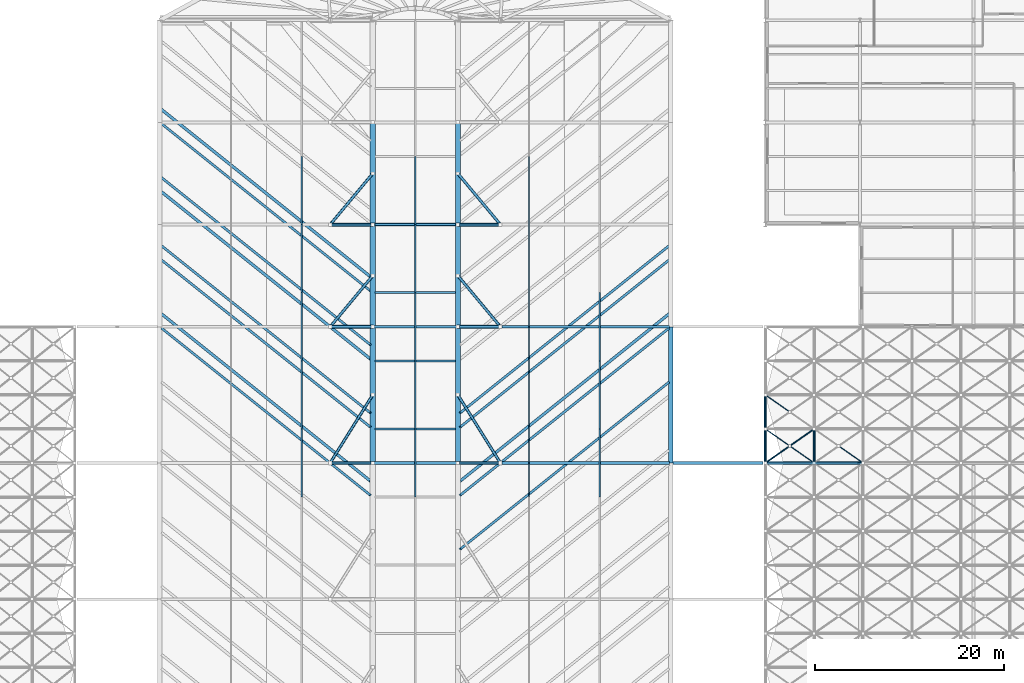
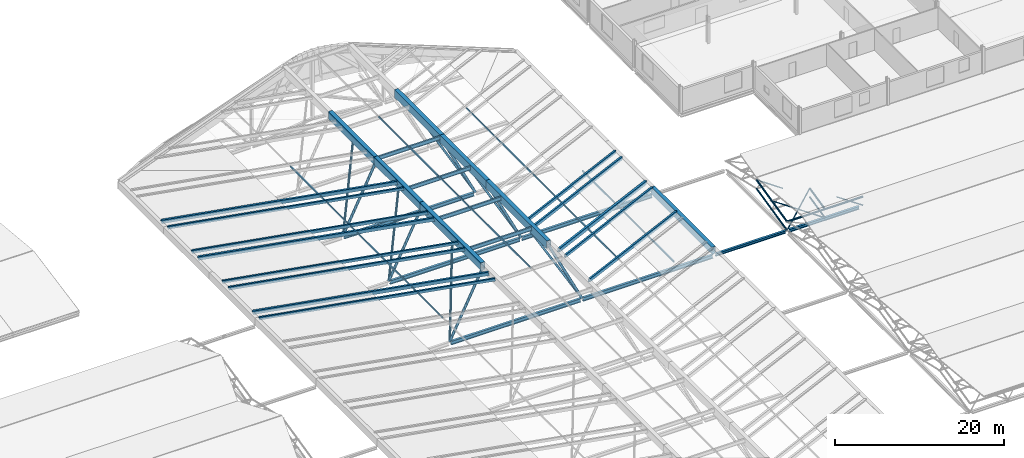
# One storey, part 31 of 110: 43 members, 31 beams.
"""IFC4 building model written with IfcOpenShell, lengths in metres."""

from ifc_helpers import new_model, si_unit, direction, frame, origin, origin_2d, place, context, subcontext, project, spatial, hollow_rectangle, hollow_circle, i_section, extrude, material, material_profile, profile_set, type_object, element, save


model = new_model("IFC4")

# Units and contexts
model_context = context("Model", 3, precision=1e-05, world=origin(), true_north=direction((0.0, 1.0)))
body_context = subcontext(model_context, "Body", "Model", "MODEL_VIEW")
ifc_project = project(units=[si_unit("LENGTHUNIT", "METRE"), si_unit("AREAUNIT", "SQUARE_METRE"), si_unit("VOLUMEUNIT", "CUBIC_METRE"), si_unit("PLANEANGLEUNIT", "RADIAN"), si_unit("MASSUNIT", "GRAM", prefix="KILO")], contexts=[model_context])

# Site, building, storey
site_placement = place(None, origin())
site = spatial("IfcSite", under=ifc_project, at=site_placement, CompositionType="ELEMENT")
building_placement = place(site_placement, origin())
building = spatial("IfcBuilding", under=site, at=building_placement, Name="Tamarisk Ironworks Central Station", CompositionType="ELEMENT")
storey_placement = place(building_placement, frame((0.0, 0.0, 17.39990234375)))
storey = spatial("IfcBuildingStorey", under=building, at=storey_placement, Name="L03", CompositionType="ELEMENT", Elevation=17.39990234375)

# Beams
ifc_material_1 = material(Name="Painted structural steel S355J2", Category="steel")
ifc_material_profile_1 = material_profile(ifc_material_1, hollow_rectangle(XDim=0.5, YDim=1.0, WallThickness=0.02197265625, at=origin_2d()), Name="BOX 500x1000x22")
ifc_profile_set_1 = profile_set([ifc_material_profile_1], Name="Painted structural steel S355J2")
beam_type_1 = type_object("IfcBeamType", Name="BM-EG01", PredefinedType="USERDEFINED", material=ifc_profile_set_1)
beam_1_placement = place(storey_placement, frame((108.0, 64.800048828125, -1.099853515625), z_axis=(0.0, 1.0, 0.0), x_axis=(-1.0, 0.0, 0.0)))
element("IfcBeam", 1, at=beam_1_placement, inside=storey, type_object=beam_type_1, Name="Concourse straight white eave girder E-013", ObjectType="TRANSFER GIRDER", PredefinedType="USERDEFINED", context=body_context, shape_type="SweptSolid", body=[
    extrude(hollow_rectangle(XDim=0.5, YDim=1.0, WallThickness=0.02197265625, at=origin_2d()), origin(), (0.0, 0.0, 1.0), 14.39990234375),
])
ifc_material_profile_2 = material_profile(ifc_material_1, hollow_rectangle(XDim=0.300048828125, YDim=0.5, WallThickness=0.02001953125, at=origin_2d()), Name="RHS 500x300x20")
ifc_profile_set_2 = profile_set([ifc_material_profile_2], Name="Painted structural steel S355J2")
beam_type_2 = type_object("IfcBeamType", Name="BM-FR01", PredefinedType="USERDEFINED", material=ifc_profile_set_2)
for number, where, z_axis, x_axis, name in (
    (2, (76.25, 62.89990234375, 7.873291015625), (-0.746812720906, 0.597456799313, -0.292089254932), (-0.624699269839, -0.780865431597, 0.0), "Concourse paired 45-degree white fishbone roof rib 0151"),
    (3, (85.75, 62.89990234375, 7.873291015625), (0.746812720906, 0.597456799313, -0.292089254932), (-0.624699269839, 0.780865431597, 0.0), "Concourse paired 45-degree white fishbone roof rib 0152"),
):
    element("IfcBeam", number, at=place(storey_placement, frame(where, z_axis=z_axis, x_axis=x_axis)), inside=storey, type_object=beam_type_2, Name=name, ObjectType="FISHBONE ROOF RIB", PredefinedType="USERDEFINED", context=body_context, shape_type="SweptSolid", body=[
        extrude(hollow_rectangle(XDim=0.300048828125, YDim=0.5, WallThickness=0.02001953125, at=origin_2d()), origin(), (0.0, 0.0, 1.0), 29.491943359375),
    ])
beam_2_placement = place(storey_placement, frame((76.25, 75.800048828125, 7.873291015625), z_axis=(-0.74681641456, 0.597451475993, -0.292090699574), x_axis=(-0.624693991975, -0.780869653906, 0.0)))
element("IfcBeam", 4, at=beam_2_placement, inside=storey, type_object=beam_type_2, Name="Concourse paired 45-degree white fishbone roof rib 0157", ObjectType="FISHBONE ROOF RIB", PredefinedType="USERDEFINED", context=body_context, shape_type="SweptSolid", body=[
    extrude(hollow_rectangle(XDim=0.300048828125, YDim=0.5, WallThickness=0.02001953125, at=origin_2d()), origin(), (0.0, 0.0, 1.0), 29.49169921875),
])
beam_3_placement = place(storey_placement, frame((76.25, 84.5, 7.873291015625), z_axis=(-0.746812720906, 0.597456799313, -0.292089254932), x_axis=(-0.624699269839, -0.780865431597, 0.0)))
element("IfcBeam", 5, at=beam_3_placement, inside=storey, type_object=beam_type_2, Name="Concourse paired 45-degree white fishbone roof rib 0163", ObjectType="FISHBONE ROOF RIB", PredefinedType="USERDEFINED", context=body_context, shape_type="SweptSolid", body=[
    extrude(hollow_rectangle(XDim=0.300048828125, YDim=0.5, WallThickness=0.02001953125, at=origin_2d()), origin(), (0.0, 0.0, 1.0), 29.491943359375),
])
ifc_material_profile_3 = material_profile(ifc_material_1, hollow_rectangle(XDim=0.25, YDim=0.449951171875, WallThickness=0.01611328125, at=origin_2d()), Name="RHS 450x250x16")
ifc_profile_set_3 = profile_set([ifc_material_profile_3], Name="Painted structural steel S355J2")
beam_type_3 = type_object("IfcBeamType", Name="BM-FR02", PredefinedType="USERDEFINED", material=ifc_profile_set_3)
beam_4_placement = place(storey_placement, frame((85.75, 55.699951171875, 7.897216796875), z_axis=(0.746812720906, 0.597456799313, -0.292089254932), x_axis=(-0.624699269839, 0.780865431597, 0.0)))
element("IfcBeam", 6, at=beam_4_placement, inside=storey, type_object=beam_type_3, Name="Concourse paired 45-degree white fishbone roof rib 0148", ObjectType="FISHBONE ROOF RIB", PredefinedType="USERDEFINED", context=body_context, shape_type="SweptSolid", body=[
    extrude(hollow_rectangle(XDim=0.25, YDim=0.449951171875, WallThickness=0.01611328125, at=origin_2d()), origin(), (0.0, 0.0, 1.0), 29.491943359375),
])
for number, where, z_axis, x_axis, name in (
    (7, (76.25, 68.60009765625, 7.897216796875), (-0.74681641456, 0.597451475993, -0.292090699574), (-0.624693991975, -0.780869653906, 0.0), "Concourse paired 45-degree white fishbone roof rib 0153"),
    (8, (85.75, 68.60009765625, 7.897216796875), (0.74681641456, 0.597451475993, -0.292090699574), (-0.624693991975, 0.780869653906, 0.0), "Concourse paired 45-degree white fishbone roof rib 0154"),
    (9, (76.25, 77.300048828125, 7.897216796875), (-0.74681641456, 0.597451475993, -0.292090699574), (-0.624693991975, -0.780869653906, 0.0), "Concourse paired 45-degree white fishbone roof rib 0159"),
):
    element("IfcBeam", number, at=place(storey_placement, frame(where, z_axis=z_axis, x_axis=x_axis)), inside=storey, type_object=beam_type_3, Name=name, ObjectType="FISHBONE ROOF RIB", PredefinedType="USERDEFINED", context=body_context, shape_type="SweptSolid", body=[
        extrude(hollow_rectangle(XDim=0.25, YDim=0.449951171875, WallThickness=0.01611328125, at=origin_2d()), origin(), (0.0, 0.0, 1.0), 29.49169921875),
    ])
ifc_material_profile_4 = material_profile(ifc_material_1, hollow_rectangle(XDim=0.25, YDim=0.39990234375, WallThickness=0.01611328125, at=origin_2d()), Name="RHS 400x250x16")
ifc_profile_set_4 = profile_set([ifc_material_profile_4], Name="Painted structural steel S355J2")
beam_type_4 = type_object("IfcBeamType", Name="BM-FR03", PredefinedType="USERDEFINED", material=ifc_profile_set_4)
for number, where, z_axis, x_axis, name in (
    (10, (76.25, 61.39990234375, 7.9208984375), (-0.746814526668, 0.597458243939, -0.292081682936), (-0.624699269839, -0.780865431597, 0.0), "Concourse paired 45-degree white fishbone roof rib 0149"),
    (11, (85.75, 61.39990234375, 7.9208984375), (0.746814526668, 0.597458243939, -0.292081682936), (-0.624699269839, 0.780865431597, 0.0), "Concourse paired 45-degree white fishbone roof rib 0150"),
    (12, (76.25, 70.10009765625, 7.9208984375), (-0.746818220349, 0.59745292062, -0.292083127547), (-0.624693991975, -0.780869653906, 0.0), "Concourse paired 45-degree white fishbone roof rib 0155"),
    (13, (85.75, 70.10009765625, 7.9208984375), (0.746818220349, 0.59745292062, -0.292083127547), (-0.624693991975, 0.780869653906, 0.0), "Concourse paired 45-degree white fishbone roof rib 0156"),
    (14, (76.25, 83.0, 7.9208984375), (-0.746814526668, 0.597458243939, -0.292081682936), (-0.624699269839, -0.780865431597, 0.0), "Concourse paired 45-degree white fishbone roof rib 0161"),
):
    element("IfcBeam", number, at=place(storey_placement, frame(where, z_axis=z_axis, x_axis=x_axis)), inside=storey, type_object=beam_type_4, Name=name, ObjectType="FISHBONE ROOF RIB", PredefinedType="USERDEFINED", context=body_context, shape_type="SweptSolid", body=[
        extrude(hollow_rectangle(XDim=0.25, YDim=0.39990234375, WallThickness=0.01611328125, at=origin_2d()), origin(), (0.0, 0.0, 1.0), 29.49169921875),
    ])
ifc_material_profile_5 = material_profile(ifc_material_1, i_section(OverallWidth=0.2099609375, OverallDepth=0.550048828125, WebThickness=0.010986328125, FlangeThickness=0.01708984375, at=origin_2d()), Name="IPE 550")
ifc_profile_set_5 = profile_set([ifc_material_profile_5], Name="Painted structural steel S355J2")
beam_type_5 = type_object("IfcBeamType", Name="BM-FR04", PredefinedType="USERDEFINED", material=ifc_profile_set_5)
for number, where, z_axis, x_axis, name in (
    (15, (76.7548828125, 68.39990234375, 7.85009765625), (1.0, 0.0, 0.0), (0.0, 1.0, 0.0), "Central glazed spine transverse rib 102"),
    (16, (76.7548828125, 75.60009765625, 7.85009765625), (1.0, 0.0, 0.0), (0.0, 1.0, 0.0), "Central glazed spine transverse rib 103"),
    (17, (76.7548828125, 82.800048828125, 7.85009765625), (1.0, 0.0, 0.0), (0.0, 1.0, 0.0), "Central glazed spine transverse rib 104"),
    (18, (76.7548828125, 90.0, 7.85009765625), (1.0, 0.0, 0.0), (0.0, 1.0, 0.0), "Central glazed spine transverse rib 105"),
):
    element("IfcBeam", number, at=place(storey_placement, frame(where, z_axis=z_axis, x_axis=x_axis)), inside=storey, type_object=beam_type_5, Name=name, ObjectType="FISHBONE ROOF RIB", PredefinedType="USERDEFINED", context=body_context, shape_type="SweptSolid", body=[
        extrude(i_section(OverallWidth=0.2099609375, OverallDepth=0.550048828125, WebThickness=0.010986328125, FlangeThickness=0.01708984375, at=origin_2d()), origin(), (0.0, 0.0, 1.0), 8.490234375),
    ])
ifc_material_2 = material(Name="Structural steel S355J2", Category="steel")
ifc_material_profile_6 = material_profile(ifc_material_2, i_section(OverallWidth=0.300048828125, OverallDepth=0.5400390625, WebThickness=0.012451171875, FlangeThickness=0.02392578125, at=origin_2d()), Name="HEA 550")
ifc_profile_set_6 = profile_set([ifc_material_profile_6], Name="Structural steel S355J2")
beam_type_6 = type_object("IfcBeamType", Name="BM-G04", PredefinedType="BEAM", material=ifc_profile_set_6)
for number, where, z_axis, x_axis, name in (
    (19, (72.139892578125, 64.800048828125, -1.869873046875), (1.0, 0.0, 0.0), (0.0, 1.0, 0.0), "Concourse roof portal tie girder 030"),
    (20, (90.139892578125, 64.800048828125, -1.869873046875), (1.0, 0.0, 0.0), (0.0, 1.0, 0.0), "Concourse roof portal tie girder 031"),
    (21, (72.139892578125, 79.199951171875, -1.869873046875), (1.0, 0.0, 0.0), (0.0, 1.0, 0.0), "Concourse roof portal tie girder 033"),
    (22, (90.139892578125, 79.199951171875, -1.869873046875), (1.0, 0.0, 0.0), (0.0, 1.0, 0.0), "Concourse roof portal tie girder 034"),
    (23, (72.139892578125, 90.0, -1.869873046875), (1.0, 0.0, 0.0), (0.0, 1.0, 0.0), "Concourse roof portal tie girder 036"),
):
    element("IfcBeam", number, at=place(storey_placement, frame(where, z_axis=z_axis, x_axis=x_axis)), inside=storey, type_object=beam_type_6, Name=name, PredefinedType="BEAM", context=body_context, shape_type="SweptSolid", body=[
        extrude(i_section(OverallWidth=0.300048828125, OverallDepth=0.5400390625, WebThickness=0.012451171875, FlangeThickness=0.02392578125, at=origin_2d()), origin(), (0.0, 0.0, 1.0), 17.72021484375),
    ])
ifc_material_profile_7 = material_profile(ifc_material_2, i_section(OverallWidth=0.300048828125, OverallDepth=0.43994140625, WebThickness=0.011474609375, FlangeThickness=0.02099609375, at=origin_2d()), Name="HEA 450")
ifc_profile_set_7 = profile_set([ifc_material_profile_7], Name="Structural steel S355J2")
beam_type_7 = type_object("IfcBeamType", Name="BM-G06", PredefinedType="BEAM", material=ifc_profile_set_7)
beam_5_placement = place(storey_placement, frame((118.238037109375, 64.800048828125, -1.81982421875), z_axis=(1.0, 0.0, 0.0), x_axis=(0.0, 1.0, 0.0)))
element("IfcBeam", 24, at=beam_5_placement, inside=storey, type_object=beam_type_7, Name="L03 primary girder X-0572", PredefinedType="BEAM", context=body_context, shape_type="SweptSolid", body=[
    extrude(i_section(OverallWidth=0.300048828125, OverallDepth=0.43994140625, WebThickness=0.011474609375, FlangeThickness=0.02099609375, at=origin_2d()), origin(), (0.0, 0.0, 1.0), 9.57080078125),
])
ifc_material_profile_8 = material_profile(ifc_material_2, i_section(OverallWidth=0.300048828125, OverallDepth=0.389892578125, WebThickness=0.010986328125, FlangeThickness=0.01904296875, at=origin_2d()), Name="HEA 400")
ifc_profile_set_8 = profile_set([ifc_material_profile_8], Name="Structural steel S355J2")
beam_type_8 = type_object("IfcBeamType", Name="BM-G07", PredefinedType="BEAM", material=ifc_profile_set_8)
beam_6_placement = place(storey_placement, frame((108.22998046875, 64.800048828125, -1.7998046875), z_axis=(1.0, 0.0, 0.0), x_axis=(0.0, 1.0, 0.0)))
element("IfcBeam", 25, at=beam_6_placement, inside=storey, type_object=beam_type_8, Name="Train shed to concourse eave tie girder 09", PredefinedType="BEAM", context=body_context, shape_type="SweptSolid", body=[
    extrude(i_section(OverallWidth=0.300048828125, OverallDepth=0.389892578125, WebThickness=0.010986328125, FlangeThickness=0.01904296875, at=origin_2d()), origin(), (0.0, 0.0, 1.0), 9.5400390625),
])
ifc_material_profile_9 = material_profile(ifc_material_1, hollow_rectangle(XDim=0.550048828125, YDim=1.10009765625, WallThickness=0.02392578125, at=origin_2d()), Name="BOX 550x1100x24")
ifc_profile_set_9 = profile_set([ifc_material_profile_9], Name="Painted structural steel S355J2")
beam_type_9 = type_object("IfcBeamType", Name="BM-SG01", PredefinedType="USERDEFINED", material=ifc_profile_set_9)
beam_7_placement = place(storey_placement, frame((76.5, 64.800048828125, 7.650146484375), z_axis=(0.0, 1.0, 0.0), x_axis=(-1.0, 0.0, 0.0)))
element("IfcBeam", 26, at=beam_7_placement, inside=storey, type_object=beam_type_9, Name="Concourse central glazed spine girder W-048", ObjectType="TRANSFER GIRDER", PredefinedType="USERDEFINED", context=body_context, shape_type="SweptSolid", body=[
    extrude(hollow_rectangle(XDim=0.550048828125, YDim=1.10009765625, WallThickness=0.02392578125, at=origin_2d()), origin(), (0.0, 0.0, 1.0), 14.39990234375),
])
for number, where, z_axis, x_axis, name in (
    (27, (76.5, 79.199951171875, 7.650146484375), (0.0, 1.0, 0.0), (-1.0, 0.0, 0.0), "Concourse central glazed spine girder W-049"),
    (28, (76.5, 90.0, 7.650146484375), (0.0, 1.0, 0.0), (-1.0, 0.0, 0.0), "Concourse central glazed spine girder W-050"),
):
    element("IfcBeam", number, at=place(storey_placement, frame(where, z_axis=z_axis, x_axis=x_axis)), inside=storey, type_object=beam_type_9, Name=name, ObjectType="TRANSFER GIRDER", PredefinedType="USERDEFINED", context=body_context, shape_type="SweptSolid", body=[
        extrude(hollow_rectangle(XDim=0.550048828125, YDim=1.10009765625, WallThickness=0.02392578125, at=origin_2d()), origin(), (0.0, 0.0, 1.0), 10.800048828125),
    ])
beam_8_placement = place(storey_placement, frame((85.5, 64.800048828125, 7.650146484375), z_axis=(0.0, 1.0, 0.0), x_axis=(-1.0, 0.0, 0.0)))
element("IfcBeam", 29, at=beam_8_placement, inside=storey, type_object=beam_type_9, Name="Concourse central glazed spine girder E-056", ObjectType="TRANSFER GIRDER", PredefinedType="USERDEFINED", context=body_context, shape_type="SweptSolid", body=[
    extrude(hollow_rectangle(XDim=0.550048828125, YDim=1.10009765625, WallThickness=0.02392578125, at=origin_2d()), origin(), (0.0, 0.0, 1.0), 14.39990234375),
])
for number, where, z_axis, x_axis, name in (
    (30, (85.5, 79.199951171875, 7.650146484375), (0.0, 1.0, 0.0), (-1.0, 0.0, 0.0), "Concourse central glazed spine girder E-057"),
    (31, (85.5, 90.0, 7.650146484375), (0.0, 1.0, 0.0), (-1.0, 0.0, 0.0), "Concourse central glazed spine girder E-058"),
):
    element("IfcBeam", number, at=place(storey_placement, frame(where, z_axis=z_axis, x_axis=x_axis)), inside=storey, type_object=beam_type_9, Name=name, ObjectType="TRANSFER GIRDER", PredefinedType="USERDEFINED", context=body_context, shape_type="SweptSolid", body=[
        extrude(hollow_rectangle(XDim=0.550048828125, YDim=1.10009765625, WallThickness=0.02392578125, at=origin_2d()), origin(), (0.0, 0.0, 1.0), 10.800048828125),
    ])

# Members
ifc_material_profile_10 = material_profile(ifc_material_1, hollow_rectangle(XDim=0.1201171875, YDim=0.219970703125, WallThickness=0.008056640625, at=origin_2d()), Name="RHS 220x120x8")
ifc_profile_set_10 = profile_set([ifc_material_profile_10], Name="Painted structural steel S355J2")
member_type_1 = type_object("IfcMemberType", Name="MB-PR01", PredefinedType="PURLIN", material=ifc_profile_set_10)
for number, where, z_axis, x_axis, name in (
    (32, (81.0, 61.2041015625, 7.97998046875), (0.0, 1.0, 0.0), (-1.0, 0.0, 0.0), "Spine skylight purlin 008"),
    (33, (81.0, 68.404052734375, 7.97998046875), (0.0, 1.0, 0.0), (-1.0, 0.0, 0.0), "Spine skylight purlin 009"),
    (34, (81.0, 75.60400390625, 7.97998046875), (0.0, 1.0, 0.0), (-1.0, 0.0, 0.0), "Spine skylight purlin 010"),
):
    element("IfcMember", number, at=place(storey_placement, frame(where, z_axis=z_axis, x_axis=x_axis)), inside=storey, type_object=member_type_1, Name=name, PredefinedType="PURLIN", context=body_context, shape_type="SweptSolid", body=[
        extrude(hollow_rectangle(XDim=0.1201171875, YDim=0.219970703125, WallThickness=0.008056640625, at=origin_2d()), origin(), (0.0, 0.0, 1.0), 7.19189453125),
    ])
for number, where, z_axis, x_axis, name in (
    (35, (81.0, 82.803955078125, 7.97998046875), (0.0, 1.0, 0.0), (-1.0, 0.0, 0.0), "Spine skylight purlin 011"),
    (36, (81.0, 90.00390625, 7.97998046875), (0.0, 1.0, 0.0), (-1.0, 0.0, 0.0), "Spine skylight purlin 012"),
):
    element("IfcMember", number, at=place(storey_placement, frame(where, z_axis=z_axis, x_axis=x_axis)), inside=storey, type_object=member_type_1, Name=name, PredefinedType="PURLIN", context=body_context, shape_type="SweptSolid", body=[
        extrude(hollow_rectangle(XDim=0.1201171875, YDim=0.219970703125, WallThickness=0.008056640625, at=origin_2d()), origin(), (0.0, 0.0, 1.0), 7.192138671875),
    ])
member_1_placement = place(storey_placement, frame((69.0, 61.199951171875, 5.002685546875), z_axis=(0.0, 1.0, 0.0), x_axis=(-1.0, 0.0, 0.0)))
element("IfcMember", 37, at=member_1_placement, inside=storey, type_object=member_type_1, Name="Concourse roof glazing purlin 0022", PredefinedType="PURLIN", context=body_context, shape_type="SweptSolid", body=[
    extrude(hollow_rectangle(XDim=0.1201171875, YDim=0.219970703125, WallThickness=0.008056640625, at=origin_2d()), origin(), (0.0, 0.0, 1.0), 7.199951171875),
])
member_2_placement = place(storey_placement, frame((69.0, 68.39990234375, 5.002685546875), z_axis=(0.0, 1.0, 0.0), x_axis=(-1.0, 0.0, 0.0)))
element("IfcMember", 38, at=member_2_placement, inside=storey, type_object=member_type_1, Name="Concourse roof glazing purlin 0023", PredefinedType="PURLIN", context=body_context, shape_type="SweptSolid", body=[
    extrude(hollow_rectangle(XDim=0.1201171875, YDim=0.219970703125, WallThickness=0.008056640625, at=origin_2d()), origin(), (0.0, 0.0, 1.0), 7.2001953125),
])
for number, where, z_axis, x_axis, name in (
    (39, (69.0, 75.60009765625, 5.002685546875), (0.0, 1.0, 0.0), (-1.0, 0.0, 0.0), "Concourse roof glazing purlin 0024"),
    (40, (69.0, 82.800048828125, 5.002685546875), (0.0, 1.0, 0.0), (-1.0, 0.0, 0.0), "Concourse roof glazing purlin 0025"),
    (41, (69.0, 90.0, 5.002685546875), (0.0, 1.0, 0.0), (-1.0, 0.0, 0.0), "Concourse roof glazing purlin 0026"),
    (42, (93.0, 61.199951171875, 5.002685546875), (0.0, 1.0, 0.0), (-1.0, 0.0, 0.0), "Concourse roof glazing purlin 0050"),
):
    element("IfcMember", number, at=place(storey_placement, frame(where, z_axis=z_axis, x_axis=x_axis)), inside=storey, type_object=member_type_1, Name=name, PredefinedType="PURLIN", context=body_context, shape_type="SweptSolid", body=[
        extrude(hollow_rectangle(XDim=0.1201171875, YDim=0.219970703125, WallThickness=0.008056640625, at=origin_2d()), origin(), (0.0, 0.0, 1.0), 7.199951171875),
    ])
member_3_placement = place(storey_placement, frame((93.0, 68.39990234375, 5.002685546875), z_axis=(0.0, 1.0, 0.0), x_axis=(-1.0, 0.0, 0.0)))
element("IfcMember", 43, at=member_3_placement, inside=storey, type_object=member_type_1, Name="Concourse roof glazing purlin 0051", PredefinedType="PURLIN", context=body_context, shape_type="SweptSolid", body=[
    extrude(hollow_rectangle(XDim=0.1201171875, YDim=0.219970703125, WallThickness=0.008056640625, at=origin_2d()), origin(), (0.0, 0.0, 1.0), 7.2001953125),
])
for number, where, z_axis, x_axis, name in (
    (44, (93.0, 75.60009765625, 5.002685546875), (0.0, 1.0, 0.0), (-1.0, 0.0, 0.0), "Concourse roof glazing purlin 0052"),
    (45, (93.0, 82.800048828125, 5.002685546875), (0.0, 1.0, 0.0), (-1.0, 0.0, 0.0), "Concourse roof glazing purlin 0053"),
    (46, (93.0, 90.0, 5.002685546875), (0.0, 1.0, 0.0), (-1.0, 0.0, 0.0), "Concourse roof glazing purlin 0054"),
    (47, (100.5, 61.199951171875, 2.0693359375), (0.0, 1.0, 0.0), (-1.0, 0.0, 0.0), "Concourse roof glazing purlin 0064"),
):
    element("IfcMember", number, at=place(storey_placement, frame(where, z_axis=z_axis, x_axis=x_axis)), inside=storey, type_object=member_type_1, Name=name, PredefinedType="PURLIN", context=body_context, shape_type="SweptSolid", body=[
        extrude(hollow_rectangle(XDim=0.1201171875, YDim=0.219970703125, WallThickness=0.008056640625, at=origin_2d()), origin(), (0.0, 0.0, 1.0), 7.199951171875),
    ])
member_4_placement = place(storey_placement, frame((100.5, 68.39990234375, 2.0693359375), z_axis=(0.0, 1.0, 0.0), x_axis=(-1.0, 0.0, 0.0)))
element("IfcMember", 48, at=member_4_placement, inside=storey, type_object=member_type_1, Name="Concourse roof glazing purlin 0065", PredefinedType="PURLIN", context=body_context, shape_type="SweptSolid", body=[
    extrude(hollow_rectangle(XDim=0.1201171875, YDim=0.219970703125, WallThickness=0.008056640625, at=origin_2d()), origin(), (0.0, 0.0, 1.0), 7.2001953125),
])
member_5_placement = place(storey_placement, frame((100.5, 75.60009765625, 2.0693359375), z_axis=(0.0, 1.0, 0.0), x_axis=(-1.0, 0.0, 0.0)))
element("IfcMember", 49, at=member_5_placement, inside=storey, type_object=member_type_1, Name="Concourse roof glazing purlin 0066", PredefinedType="PURLIN", context=body_context, shape_type="SweptSolid", body=[
    extrude(hollow_rectangle(XDim=0.1201171875, YDim=0.219970703125, WallThickness=0.008056640625, at=origin_2d()), origin(), (0.0, 0.0, 1.0), 7.199951171875),
])
ifc_material_3 = material(Name="Structural steel S355J2H", Category="steel")
ifc_material_profile_11 = material_profile(ifc_material_3, hollow_circle(Radius=0.136474609375, WallThickness=0.012451171875, at=origin_2d()), Name="CHS 273x12.5")
ifc_profile_set_11 = profile_set([ifc_material_profile_11], Name="Structural steel S355J2H")
member_type_2 = type_object("IfcMemberType", Name="MB-SFC01", PredefinedType="CHORD", material=ifc_profile_set_11)
member_6_placement = place(storey_placement, frame((118.0, 64.800048828125, -0.469970703125), z_axis=(1.0, 0.0, 0.0), x_axis=(0.0, 1.0, 0.0)))
element("IfcMember", 50, at=member_6_placement, inside=storey, type_object=member_type_2, Name="Train shed space-frame top chord 1667", PredefinedType="CHORD", context=body_context, shape_type="SweptSolid", body=[
    extrude(hollow_circle(Radius=0.136474609375, WallThickness=0.012451171875, at=origin_2d()), origin(), (0.0, 0.0, 1.0), 5.166748046875),
])
member_7_placement = place(storey_placement, frame((123.166748046875, 64.800048828125, -0.469970703125), z_axis=(1.0, 0.0, 0.0), x_axis=(0.0, 1.0, 0.0)))
element("IfcMember", 51, at=member_7_placement, inside=storey, type_object=member_type_2, Name="Train shed space-frame top chord 1668", PredefinedType="CHORD", context=body_context, shape_type="SweptSolid", body=[
    extrude(hollow_circle(Radius=0.136474609375, WallThickness=0.012451171875, at=origin_2d()), origin(), (0.0, 0.0, 1.0), 5.16650390625),
])
ifc_material_profile_12 = material_profile(ifc_material_3, hollow_circle(Radius=0.122314453125, WallThickness=0.012451171875, at=origin_2d()), Name="CHS 244.5x12.5")
ifc_profile_set_12 = profile_set([ifc_material_profile_12], Name="Structural steel S355J2H")
member_type_3 = type_object("IfcMemberType", Name="MB-SFC02", PredefinedType="CHORD", material=ifc_profile_set_12)
member_8_placement = place(storey_placement, frame((118.0, 64.800048828125, -0.469970703125), z_axis=(0.0, 0.974733218107, 0.223372230857), x_axis=(-1.0, 0.0, 0.0)))
element("IfcMember", 52, at=member_8_placement, inside=storey, type_object=member_type_3, Name="Train shed space-frame top transverse chord 1963", PredefinedType="CHORD", context=body_context, shape_type="SweptSolid", body=[
    extrude(hollow_circle(Radius=0.122314453125, WallThickness=0.012451171875, at=origin_2d()), origin(), (0.0, 0.0, 1.0), 3.693115234375),
])
member_9_placement = place(storey_placement, frame((118.0, 68.39990234375, 0.35498046875), z_axis=(0.0, 0.974722123001, 0.223420641241), x_axis=(-1.0, 0.0, 0.0)))
element("IfcMember", 53, at=member_9_placement, inside=storey, type_object=member_type_3, Name="Train shed space-frame top transverse chord 1964", PredefinedType="CHORD", context=body_context, shape_type="SweptSolid", body=[
    extrude(hollow_circle(Radius=0.122314453125, WallThickness=0.012451171875, at=origin_2d()), origin(), (0.0, 0.0, 1.0), 3.693359375),
])
member_10_placement = place(storey_placement, frame((123.166748046875, 64.800048828125, -0.469970703125), z_axis=(0.0, 0.974733218107, 0.223372230857), x_axis=(-1.0, 0.0, 0.0)))
element("IfcMember", 54, at=member_10_placement, inside=storey, type_object=member_type_3, Name="Train shed space-frame top transverse chord 1967", PredefinedType="CHORD", context=body_context, shape_type="SweptSolid", body=[
    extrude(hollow_circle(Radius=0.122314453125, WallThickness=0.012451171875, at=origin_2d()), origin(), (0.0, 0.0, 1.0), 3.693115234375),
])
ifc_material_profile_13 = material_profile(ifc_material_3, hollow_circle(Radius=0.109619140625, WallThickness=0.010009765625, at=origin_2d()), Name="CHS 219.1x10")
ifc_profile_set_13 = profile_set([ifc_material_profile_13], Name="Structural steel S355J2H")
member_type_4 = type_object("IfcMemberType", Name="MB-SFC03", PredefinedType="CHORD", material=ifc_profile_set_13)
member_11_placement = place(storey_placement, frame((118.0, 64.800048828125, -1.719970703125), z_axis=(0.0, 0.974733218107, 0.223372230857), x_axis=(-1.0, 0.0, 0.0)))
element("IfcMember", 55, at=member_11_placement, inside=storey, type_object=member_type_4, Name="Train shed space-frame transverse chord 1863", PredefinedType="CHORD", context=body_context, shape_type="SweptSolid", body=[
    extrude(hollow_circle(Radius=0.109619140625, WallThickness=0.010009765625, at=origin_2d()), origin(), (0.0, 0.0, 1.0), 3.693115234375),
])
member_12_placement = place(storey_placement, frame((118.0, 68.39990234375, -0.89501953125), z_axis=(0.0, 0.974722123001, 0.223420641241), x_axis=(-1.0, 0.0, 0.0)))
element("IfcMember", 56, at=member_12_placement, inside=storey, type_object=member_type_4, Name="Train shed space-frame transverse chord 1864", PredefinedType="CHORD", context=body_context, shape_type="SweptSolid", body=[
    extrude(hollow_circle(Radius=0.109619140625, WallThickness=0.010009765625, at=origin_2d()), origin(), (0.0, 0.0, 1.0), 3.693359375),
])
member_13_placement = place(storey_placement, frame((123.166748046875, 64.800048828125, -1.719970703125), z_axis=(0.0, 0.974733218107, 0.223372230857), x_axis=(-1.0, 0.0, 0.0)))
element("IfcMember", 57, at=member_13_placement, inside=storey, type_object=member_type_4, Name="Train shed space-frame transverse chord 1867", PredefinedType="CHORD", context=body_context, shape_type="SweptSolid", body=[
    extrude(hollow_circle(Radius=0.109619140625, WallThickness=0.010009765625, at=origin_2d()), origin(), (0.0, 0.0, 1.0), 3.693115234375),
])
ifc_material_profile_14 = material_profile(ifc_material_3, hollow_circle(Radius=0.084228515625, WallThickness=0.010009765625, at=origin_2d()), Name="CHS 168.3x10")
ifc_profile_set_14 = profile_set([ifc_material_profile_14], Name="Structural steel S355J2H")
member_type_5 = type_object("IfcMemberType", Name="MB-SFD01", PredefinedType="BRACE", material=ifc_profile_set_14)
member_14_placement = place(storey_placement, frame((118.0, 64.800048828125, -1.719970703125), z_axis=(0.779273944842, 0.542947328672, 0.312954177442), x_axis=(-0.57166297408, 0.820488539875, 0.0)))
element("IfcMember", 58, at=member_14_placement, inside=storey, type_object=member_type_5, Name="Train shed space-frame diagonal 2015", PredefinedType="BRACE", context=body_context, shape_type="SweptSolid", body=[
    extrude(hollow_circle(Radius=0.084228515625, WallThickness=0.010009765625, at=origin_2d()), origin(), (0.0, 0.0, 1.0), 6.630126953125),
])
ifc_material_profile_15 = material_profile(ifc_material_3, hollow_circle(Radius=0.05712890625, WallThickness=0.00634765625, at=origin_2d()), Name="CHS 114.3x6.3")
ifc_profile_set_15 = profile_set([ifc_material_profile_15], Name="Structural steel S355J2H")
member_type_6 = type_object("IfcMemberType", Name="MB-SFD03", PredefinedType="BRACE", material=ifc_profile_set_15)
for number, where, z_axis, x_axis, name in (
    (59, (123.166748046875, 64.800048828125, -1.719970703125), (-0.779281371438, 0.542935800781, 0.31295568434), (-0.571651135352, -0.820496788203, 0.0), "Train shed space-frame split counter-diagonal lower 2016"),
    (60, (120.540283203125, 66.6298828125, -0.665283203125), (-0.779251958926, 0.542967486998, 0.312973948712), (-0.571688120068, -0.820471019216, 0.0), "Train shed space-frame split counter-diagonal upper 2016"),
    (61, (120.540283203125, 70.22998046875, 0.159912109375), (-0.779251958926, 0.542967486998, 0.312973948712), (-0.571688120068, -0.820471019216, 0.0), "Train shed space-frame split counter-diagonal upper 2018"),
    (62, (128.333251953125, 64.800048828125, -1.719970703125), (-0.779251958926, 0.542967486998, 0.312973948712), (-0.571688120068, -0.820471019216, 0.0), "Train shed space-frame split counter-diagonal lower 2024"),
):
    element("IfcMember", number, at=place(storey_placement, frame(where, z_axis=z_axis, x_axis=x_axis)), inside=storey, type_object=member_type_6, Name=name, PredefinedType="BRACE", context=body_context, shape_type="SweptSolid", body=[
        extrude(hollow_circle(Radius=0.05712890625, WallThickness=0.00634765625, at=origin_2d()), origin(), (0.0, 0.0, 1.0), 3.260009765625),
    ])
ifc_material_profile_16 = material_profile(ifc_material_1, hollow_circle(Radius=0.177734375, WallThickness=0.01611328125, at=origin_2d()), Name="CHS 355.6x16")
ifc_profile_set_16 = profile_set([ifc_material_profile_16], Name="Painted structural steel S355J2")
member_type_7 = type_object("IfcMemberType", Name="MB-VS01", PredefinedType="STRUT", material=ifc_profile_set_16)
for number, where, z_axis, x_axis, name in (
    (63, (72.0, 64.800048828125, -1.639892578125), (0.443657342756, 0.0, 0.896196497549), (0.0, 1.0, 0.0), "Concourse spine V-strut 076"),
    (64, (90.0, 64.800048828125, -1.639892578125), (-0.443657342756, 0.0, 0.896196497549), (0.0, -1.0, 0.0), "Concourse spine V-strut 078"),
    (65, (72.0, 79.199951171875, -1.639892578125), (0.443657342756, 0.0, 0.896196497549), (0.0, 1.0, 0.0), "Concourse spine V-strut 080"),
    (66, (90.0, 79.199951171875, -1.639892578125), (-0.443657342756, 0.0, 0.896196497549), (0.0, -1.0, 0.0), "Concourse spine V-strut 082"),
    (67, (72.0, 90.0, -1.639892578125), (0.443657342756, 0.0, 0.896196497549), (0.0, 1.0, 0.0), "Concourse spine V-strut 084"),
    (68, (90.0, 90.0, -1.639892578125), (-0.443657342756, 0.0, 0.896196497549), (0.0, -1.0, 0.0), "Concourse spine V-strut 086"),
):
    element("IfcMember", number, at=place(storey_placement, frame(where, z_axis=z_axis, x_axis=x_axis)), inside=storey, type_object=member_type_7, Name=name, PredefinedType="STRUT", context=body_context, shape_type="SweptSolid", body=[
        extrude(hollow_circle(Radius=0.177734375, WallThickness=0.01611328125, at=origin_2d()), origin(), (0.0, 0.0, 1.0), 10.14306640625),
    ])
ifc_material_profile_17 = material_profile(ifc_material_1, hollow_circle(Radius=0.149169921875, WallThickness=0.01416015625, at=origin_2d()), Name="CHS 298.5x14.2")
ifc_profile_set_17 = profile_set([ifc_material_profile_17], Name="Painted structural steel S355J2")
member_type_8 = type_object("IfcMemberType", Name="MB-VS02", PredefinedType="STRUT", material=ifc_profile_set_17)
for number, where, z_axis, x_axis, name in (
    (69, (72.0, 64.800048828125, -1.639892578125), (0.361776786068, 0.578838932179, 0.73079617381), (-0.847996688584, 0.530001524668, 0.0), "Concourse spine diagonal V-strut 077"),
    (70, (90.0, 64.800048828125, -1.639892578125), (-0.361776786068, 0.578838932179, 0.73079617381), (-0.847996688584, -0.530001524668, 0.0), "Concourse spine diagonal V-strut 079"),
):
    element("IfcMember", number, at=place(storey_placement, frame(where, z_axis=z_axis, x_axis=x_axis)), inside=storey, type_object=member_type_8, Name=name, PredefinedType="STRUT", context=body_context, shape_type="SweptSolid", body=[
        extrude(hollow_circle(Radius=0.149169921875, WallThickness=0.01416015625, at=origin_2d()), origin(), (0.0, 0.0, 1.0), 12.438720703125),
    ])
for number, where, z_axis, x_axis, name in (
    (71, (72.0, 79.199951171875, -1.639892578125), (0.391613496707, 0.469948943884, 0.791066912049), (-0.768229820104, 0.640174150918, 0.0), "Concourse spine diagonal V-strut 081"),
    (72, (90.0, 79.199951171875, -1.639892578125), (-0.391613496707, 0.469948943884, 0.791066912049), (-0.768229820104, -0.640174150918, 0.0), "Concourse spine diagonal V-strut 083"),
):
    element("IfcMember", number, at=place(storey_placement, frame(where, z_axis=z_axis, x_axis=x_axis)), inside=storey, type_object=member_type_8, Name=name, PredefinedType="STRUT", context=body_context, shape_type="SweptSolid", body=[
        extrude(hollow_circle(Radius=0.149169921875, WallThickness=0.01416015625, at=origin_2d()), origin(), (0.0, 0.0, 1.0), 11.490966796875),
    ])
for number, where, z_axis, x_axis, name in (
    (73, (72.0, 90.0, -1.639892578125), (0.391617406828, 0.469932389552, 0.79107481057), (-0.768215585699, 0.640191232281, 0.0), "Concourse spine diagonal V-strut 085"),
    (74, (90.0, 90.0, -1.639892578125), (-0.391617406828, 0.469932389552, 0.79107481057), (-0.768215585699, -0.640191232281, 0.0), "Concourse spine diagonal V-strut 087"),
):
    element("IfcMember", number, at=place(storey_placement, frame(where, z_axis=z_axis, x_axis=x_axis)), inside=storey, type_object=member_type_8, Name=name, PredefinedType="STRUT", context=body_context, shape_type="SweptSolid", body=[
        extrude(hollow_circle(Radius=0.149169921875, WallThickness=0.01416015625, at=origin_2d()), origin(), (0.0, 0.0, 1.0), 11.49072265625),
    ])

save(model, "model.ifc")
